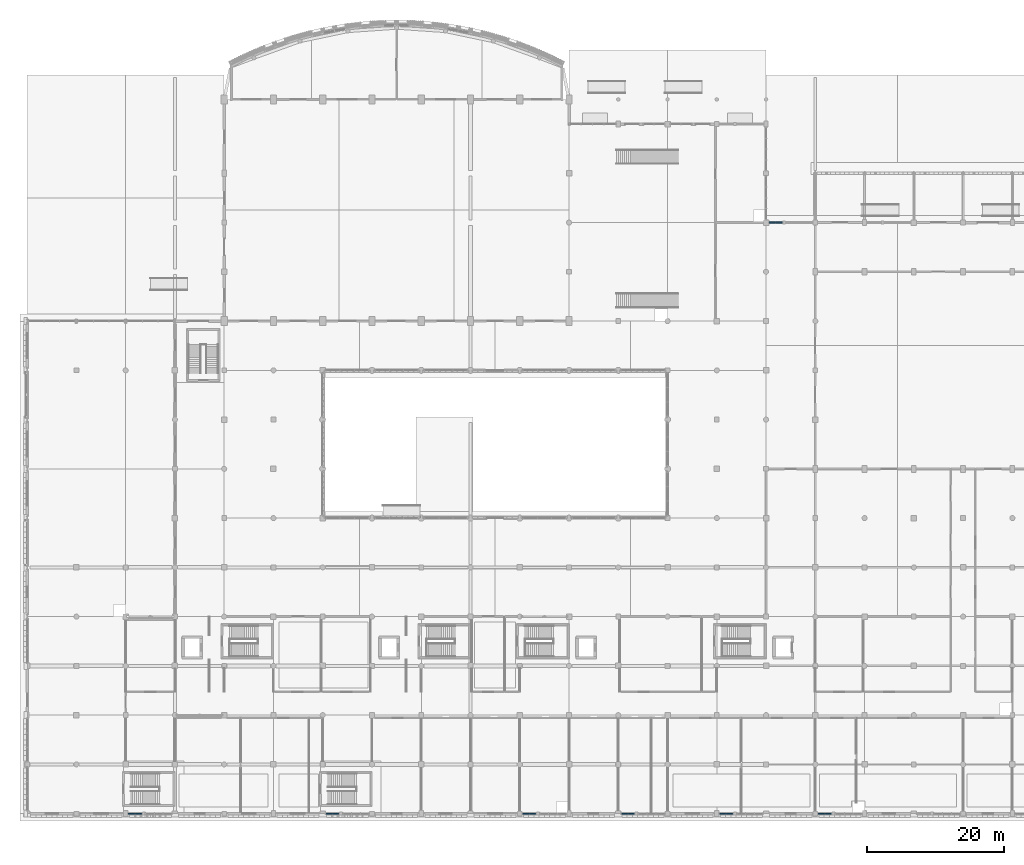
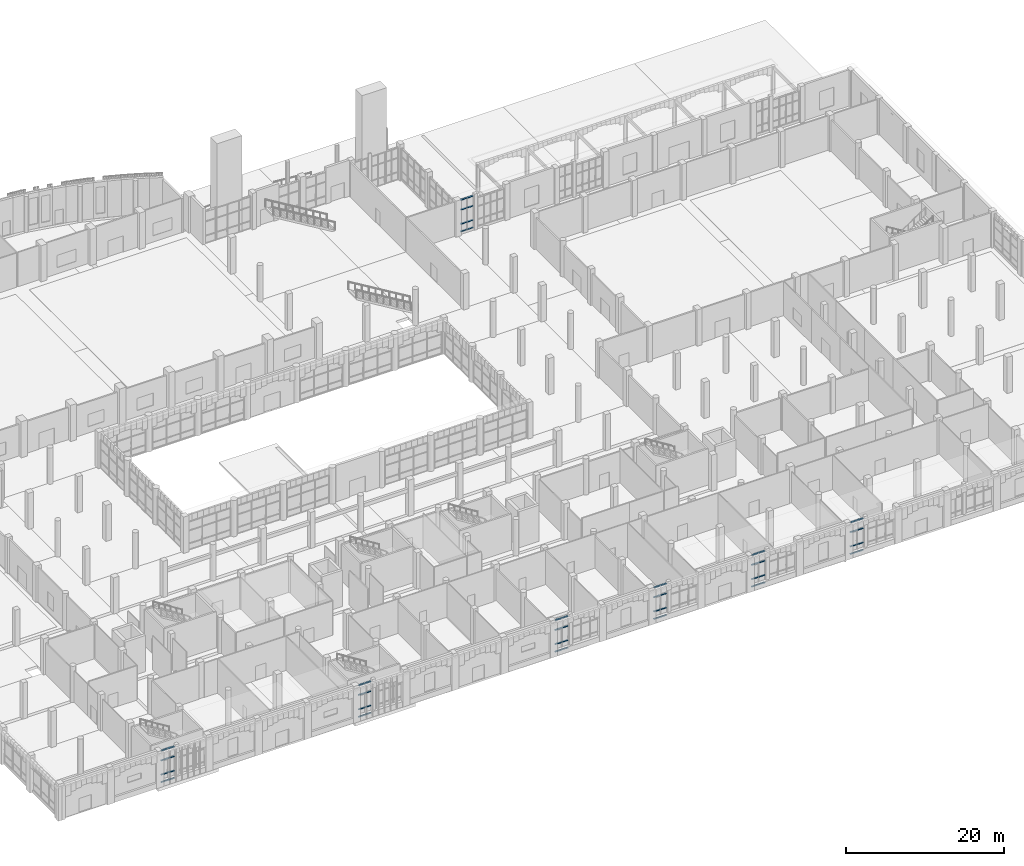
# One storey, part 34 of 85: 56 members, 7 elements without a shape of their own.
"""IFC4 building model written with IfcOpenShell, lengths in metres."""

import ifcopenshell
import ifcopenshell.guid

model = None  # the IFC model being written
_history = None  # IfcOwnerHistory: only IFC2X3 demands one
_inside = {}  # id of a spatial element -> (the spatial element, [elements in it])
_under = {}  # id of a project, library or spatial element -> (it, [spatial elements below it])
_declared = {}  # id of a project -> (the project, [libraries it declares])
_typed = {}  # id of a type object -> (the type object, [elements of that type])
_made_of = {}  # id of a material, layer set ... -> (it, [elements and type objects made of it])


def new_model(schema):
    """Start an empty IFC model of exactly this schema.

    Asked for "IFC4X3", IfcOpenShell would pick the latest addendum, in which some entities
    have other attributes; the version numbers below select the first issue.
    IFC2X3 requires an IfcOwnerHistory on every rooted entity: one is made here for all.
    """
    global model, _history
    if schema == "IFC4X3":
        model = ifcopenshell.file(schema_version=(4, 3, 0, 0))
    else:
        model = ifcopenshell.file(schema=schema)
    _inside.clear()
    _under.clear()
    _declared.clear()
    _typed.clear()
    _made_of.clear()
    _history = None
    if model.schema == "IFC2X3":
        org = make("IfcOrganization", Name="unknown")
        user = make(
            "IfcPersonAndOrganization",
            ThePerson=make("IfcPerson", FamilyName="unknown"),
            TheOrganization=org,
        )
        app = make(
            "IfcApplication",
            ApplicationDeveloper=org,
            Version="unknown",
            ApplicationFullName="unknown",
            ApplicationIdentifier="unknown",
        )
        _history = make(
            "IfcOwnerHistory",
            OwningUser=user,
            OwningApplication=app,
            ChangeAction="ADDED",
            CreationDate=0,
        )
    return model


def make(cls, **values):
    """One entity of the class cls with the attributes given. An attribute that is None is left unset."""
    return model.create_entity(
        cls, **{name: value for name, value in values.items() if value is not None}
    )


def rooted(cls, **values):
    """An entity with a GlobalId (a new one), such as an element, a storey or a relation."""
    return make(cls, GlobalId=ifcopenshell.guid.new(), OwnerHistory=_history, **values)


def si_unit(unit_type, name, prefix=None):
    """IfcSIUnit, for example si_unit("LENGTHUNIT", "METRE", prefix="MILLI")."""
    return make("IfcSIUnit", UnitType=unit_type, Prefix=prefix, Name=name)


def assignment(units):
    """IfcUnitAssignment: the units of a project."""
    return None if units is None else make("IfcUnitAssignment", Units=units)


def point(xyz):
    """IfcCartesianPoint."""
    return None if xyz is None else make("IfcCartesianPoint", Coordinates=xyz)


def direction(xyz):
    """IfcDirection."""
    return None if xyz is None else make("IfcDirection", DirectionRatios=xyz)


def frame(location, z_axis=None, x_axis=None):
    """IfcAxis2Placement3D, a coordinate frame: its origin and axes. An axis left out is left unset."""
    return make(
        "IfcAxis2Placement3D",
        Location=point(location),
        Axis=direction(z_axis),
        RefDirection=direction(x_axis),
    )


def frame_2d(location, x_axis=None):
    """IfcAxis2Placement2D, a coordinate frame in the plane: its origin and x axis."""
    return make(
        "IfcAxis2Placement2D", Location=point(location), RefDirection=direction(x_axis)
    )


def origin():
    """The frame at (0, 0, 0) with its axes left unset."""
    return frame((0.0, 0.0, 0.0))


def origin_2d():
    """The frame at (0, 0) in the plane with its x axis left unset."""
    return frame_2d((0.0, 0.0))


def place(relative_to, where):
    """IfcLocalPlacement: puts the frame where relative to a parent placement (None: the world)."""
    return make(
        "IfcLocalPlacement", PlacementRelTo=relative_to, RelativePlacement=where
    )


def context(
    kind, dimensions, precision=None, world=None, true_north=None, identifier=None
):
    """IfcGeometricRepresentationContext, for example the 3D "Model" context."""
    return make(
        "IfcGeometricRepresentationContext",
        ContextIdentifier=identifier,
        ContextType=kind,
        CoordinateSpaceDimension=dimensions,
        Precision=precision,
        WorldCoordinateSystem=world,
        TrueNorth=true_north,
    )


def subcontext(parent, identifier, kind, view, scale=None):
    """IfcGeometricRepresentationSubContext, for example "Body" below "Model"."""
    return make(
        "IfcGeometricRepresentationSubContext",
        ContextIdentifier=identifier,
        ContextType=kind,
        ParentContext=parent,
        TargetScale=scale,
        TargetView=view,
    )


def project(units=None, contexts=None):
    """IfcProject with its units and contexts."""
    return rooted(
        "IfcProject",
        Name="project",
        RepresentationContexts=contexts,
        UnitsInContext=assignment(units),
    )


def spatial(cls, under=None, at=None, **own):
    """A site, building, storey or space (cls), placed at a placement, below another one or the project."""
    s = rooted(cls, ObjectPlacement=at, **own)
    if under is not None:
        _under.setdefault(under.id(), (under, []))[1].append(s)
    return s


def profile(cls, at=None, kind="AREA", **sizes):
    """A parametric profile (cls). Its sizes go by their IFC names, for example OverallWidth=200.0."""
    return make(cls, ProfileType=kind, Position=at, **sizes)


def rectangle(**sizes):
    """IfcRectangleProfileDef."""
    return profile("IfcRectangleProfileDef", **sizes)


def extrude(swept, where, along, depth):
    """IfcExtrudedAreaSolid: the profile swept, set in the frame where, extruded along a direction by depth."""
    return make(
        "IfcExtrudedAreaSolid",
        SweptArea=swept,
        Position=where,
        ExtrudedDirection=direction(along),
        Depth=depth,
    )


def shape(context_of_items, identifier, shape_type, items):
    """IfcShapeRepresentation: the items that make up one representation, for example the "Body"."""
    return make(
        "IfcShapeRepresentation",
        ContextOfItems=context_of_items,
        RepresentationIdentifier=identifier,
        RepresentationType=shape_type,
        Items=items,
    )


def material(Name=None, Category=None):
    """IfcMaterial."""
    return make("IfcMaterial", Name=Name, Category=Category)


def material_profile(
    of_material, cross_section, Name=None, Category=None, Priority=None
):
    """IfcMaterialProfile: a cross section and its material."""
    return make(
        "IfcMaterialProfile",
        Name=Name,
        Material=of_material,
        Profile=cross_section,
        Priority=Priority,
        Category=Category,
    )


def profile_set(profiles, Name=None, composite=None):
    """IfcMaterialProfileSet."""
    return make(
        "IfcMaterialProfileSet",
        Name=Name,
        MaterialProfiles=profiles,
        CompositeProfile=composite,
    )


def made_of(thing, what):
    """Note that an element or type object is made of a material, layer set ...; save() writes the relation."""
    if what is not None:
        _made_of.setdefault(what.id(), (what, []))[1].append(thing)
    return thing


def type_object(cls, material=None, **own):
    """A type object (cls), such as IfcWallType, which elements share."""
    return made_of(rooted(cls, **own), material)


def element(
    cls,
    number,
    at=None,
    inside=None,
    cuts=None,
    type_object=None,
    material=None,
    context=None,
    identifier="Body",
    shape_type=None,
    held_by="IfcProductDefinitionShape",
    body=None,
    shapes=None,
    **own,
):
    """One element of the class cls, such as IfcWall. Its Tag is "e" and its number.

    at: its placement. inside: the storey or other place that contains it. cuts: it is an
    opening in that element (IfcRelVoidsElement). A single representation is given by context,
    identifier, shape_type and body (its items); several are given by shapes. held_by: the class
    of the entity that holds the representations. save() writes the other relations.
    """
    e = rooted(cls, Tag="e%d" % number, ObjectPlacement=at, **own)
    if body is not None:
        shapes = [shape(context, identifier, shape_type, body)]
    if shapes is not None:
        e.Representation = make(held_by, Representations=shapes)
    if inside is not None:
        _inside.setdefault(inside.id(), (inside, []))[1].append(e)
    if cuts is not None:
        rooted(
            "IfcRelVoidsElement", RelatingBuildingElement=cuts, RelatedOpeningElement=e
        )
    if type_object is not None:
        _typed.setdefault(type_object.id(), (type_object, []))[1].append(e)
    return made_of(e, material)


def aggregate(whole, parts):
    """IfcRelAggregates: a whole, such as a stair, and the parts it consists of."""
    return rooted("IfcRelAggregates", RelatingObject=whole, RelatedObjects=parts)


def save(model, path):
    """Write the relations noted so far, then the file.

    IfcRelAggregates (storeys below a building ...), IfcRelContainedInSpatialStructure (elements
    in a storey), IfcRelDefinesByType, IfcRelAssociatesMaterial and IfcRelDeclares: one each for
    every whole, place, type object, material and project.
    """
    for whole, parts in _under.values():
        aggregate(whole, parts)
    for where, things in _inside.values():
        rooted(
            "IfcRelContainedInSpatialStructure",
            RelatedElements=things,
            RelatingStructure=where,
        )
    for kind, things in _typed.values():
        rooted("IfcRelDefinesByType", RelatedObjects=things, RelatingType=kind)
    for what, things in _made_of.values():
        rooted("IfcRelAssociatesMaterial", RelatedObjects=things, RelatingMaterial=what)
    for by, libraries in _declared.values():
        rooted("IfcRelDeclares", RelatingContext=by, RelatedDefinitions=libraries)
    model.write(path)


model = new_model("IFC4")

# Units and contexts
model_context = context("Model", 3, precision=1e-05, world=origin(), true_north=direction((0.0, 1.0)))
body_context = subcontext(model_context, "Body", "Model", "MODEL_VIEW")
ifc_project = project(units=[si_unit("LENGTHUNIT", "METRE"), si_unit("AREAUNIT", "SQUARE_METRE"), si_unit("VOLUMEUNIT", "CUBIC_METRE"), si_unit("PLANEANGLEUNIT", "RADIAN"), si_unit("MASSUNIT", "GRAM", prefix="KILO")], contexts=[model_context])

# Site, building, storey
site_placement = place(None, origin())
site = spatial("IfcSite", under=ifc_project, at=site_placement, CompositionType="ELEMENT")
building_placement = place(site_placement, origin())
building = spatial("IfcBuilding", under=site, at=building_placement, Name="Sardonyx Promenade Sports Hall", CompositionType="ELEMENT")
storey_placement = place(building_placement, origin())
storey = spatial("IfcBuildingStorey", under=building, at=storey_placement, Name="L00", CompositionType="ELEMENT", Elevation=0.0)

# Curtain wall, members
ifc_material_1 = material(Name="Aluminium 6063-T6", Category="aluminium")
curtain_wall_type = type_object("IfcCurtainWallType", Name="CW_Foyer_Pilaster_L00", PredefinedType="USERDEFINED", material=ifc_material_1)
curtain_wall_1_placement = place(storey_placement, origin())
curtain_wall_1 = element("IfcCurtainWall", 1, at=curtain_wall_1_placement, inside=storey, type_object=curtain_wall_type, Name="Curtain wall CW20 cw:L00:006", ObjectType="CURTAIN WALL", PredefinedType="USERDEFINED")
ifc_material_2 = material(Name="Aluminium 6063-T6", Category="aluminium")
ifc_material_profile = material_profile(ifc_material_2, rectangle(XDim=0.074951171875, YDim=0.179931640625, at=origin_2d()))
ifc_profile_set = profile_set([ifc_material_profile], Name="Aluminium 6063-T6")
member_type = type_object("IfcMemberType", Name="CW_Tran_180", PredefinedType="USERDEFINED", material=ifc_profile_set)
member_1_placement = place(storey_placement, frame((117.530029296875, 0.0, 0.387451171875), z_axis=(-1.0, 0.0, 0.0), x_axis=(0.0, 0.0, 1.0)))
member_1 = element("IfcMember", 2, at=member_1_placement, type_object=member_type, Name="Transom CT04 cw:L00:006 #1", ObjectType="TRANSOM", PredefinedType="USERDEFINED", context=body_context, shape_type="SweptSolid", body=[
    extrude(rectangle(XDim=0.074951171875, YDim=0.179931640625, at=origin_2d()), origin(), (0.0, 0.0, 1.0), 0.905029296875),
])
member_2_placement = place(storey_placement, frame((117.530029296875, 0.0, 1.550048828125), z_axis=(-1.0, 0.0, 0.0), x_axis=(0.0, 0.0, 1.0)))
member_2 = element("IfcMember", 3, at=member_2_placement, type_object=member_type, Name="Transom CT04 cw:L00:006 #2", ObjectType="TRANSOM", PredefinedType="USERDEFINED", context=body_context, shape_type="SweptSolid", body=[
    extrude(rectangle(XDim=0.074951171875, YDim=0.179931640625, at=origin_2d()), origin(), (0.0, 0.0, 1.0), 0.905029296875),
])
member_3_placement = place(storey_placement, frame((117.530029296875, 0.0, 3.75), z_axis=(-1.0, 0.0, 0.0), x_axis=(0.0, 0.0, 1.0)))
member_3 = element("IfcMember", 4, at=member_3_placement, type_object=member_type, Name="Transom CT04 cw:L00:006 #3", ObjectType="TRANSOM", PredefinedType="USERDEFINED", context=body_context, shape_type="SweptSolid", body=[
    extrude(rectangle(XDim=0.074951171875, YDim=0.179931640625, at=origin_2d()), origin(), (0.0, 0.0, 1.0), 0.905029296875),
])
member_4_placement = place(storey_placement, frame((117.530029296875, 0.0, 5.262451171875), z_axis=(-1.0, 0.0, 0.0), x_axis=(0.0, 0.0, 1.0)))
member_4 = element("IfcMember", 5, at=member_4_placement, type_object=member_type, Name="Transom CT04 cw:L00:006 #4", ObjectType="TRANSOM", PredefinedType="USERDEFINED", context=body_context, shape_type="SweptSolid", body=[
    extrude(rectangle(XDim=0.074951171875, YDim=0.179931640625, at=origin_2d()), origin(), (0.0, 0.0, 1.0), 0.905029296875),
])
member_5_placement = place(storey_placement, frame((116.550048828125, 0.0, 0.387451171875), z_axis=(-1.0, 0.0, 0.0), x_axis=(0.0, 0.0, 1.0)))
member_5 = element("IfcMember", 6, at=member_5_placement, type_object=member_type, Name="Transom CT04 cw:L00:006 #5", ObjectType="TRANSOM", PredefinedType="USERDEFINED", context=body_context, shape_type="SweptSolid", body=[
    extrude(rectangle(XDim=0.074951171875, YDim=0.179931640625, at=origin_2d()), origin(), (0.0, 0.0, 1.0), 0.905029296875),
])
member_6_placement = place(storey_placement, frame((116.550048828125, 0.0, 1.550048828125), z_axis=(-1.0, 0.0, 0.0), x_axis=(0.0, 0.0, 1.0)))
member_6 = element("IfcMember", 7, at=member_6_placement, type_object=member_type, Name="Transom CT04 cw:L00:006 #6", ObjectType="TRANSOM", PredefinedType="USERDEFINED", context=body_context, shape_type="SweptSolid", body=[
    extrude(rectangle(XDim=0.074951171875, YDim=0.179931640625, at=origin_2d()), origin(), (0.0, 0.0, 1.0), 0.905029296875),
])
member_7_placement = place(storey_placement, frame((116.550048828125, 0.0, 3.75), z_axis=(-1.0, 0.0, 0.0), x_axis=(0.0, 0.0, 1.0)))
member_7 = element("IfcMember", 8, at=member_7_placement, type_object=member_type, Name="Transom CT04 cw:L00:006 #7", ObjectType="TRANSOM", PredefinedType="USERDEFINED", context=body_context, shape_type="SweptSolid", body=[
    extrude(rectangle(XDim=0.074951171875, YDim=0.179931640625, at=origin_2d()), origin(), (0.0, 0.0, 1.0), 0.905029296875),
])
member_8_placement = place(storey_placement, frame((116.550048828125, 0.0, 5.262451171875), z_axis=(-1.0, 0.0, 0.0), x_axis=(0.0, 0.0, 1.0)))
member_8 = element("IfcMember", 9, at=member_8_placement, type_object=member_type, Name="Transom CT04 cw:L00:006 #8", ObjectType="TRANSOM", PredefinedType="USERDEFINED", context=body_context, shape_type="SweptSolid", body=[
    extrude(rectangle(XDim=0.074951171875, YDim=0.179931640625, at=origin_2d()), origin(), (0.0, 0.0, 1.0), 0.905029296875),
])
aggregate(curtain_wall_1, [member_1, member_2, member_3, member_4, member_5, member_6, member_7, member_8])

curtain_wall_2_placement = place(storey_placement, origin())
curtain_wall_2 = element("IfcCurtainWall", 10, at=curtain_wall_2_placement, inside=storey, type_object=curtain_wall_type, Name="Curtain wall CW20 cw:L00:008", ObjectType="CURTAIN WALL", PredefinedType="USERDEFINED")
member_9_placement = place(storey_placement, frame((103.1298828125, 0.0, 0.387451171875), z_axis=(-1.0, 0.0, 0.0), x_axis=(0.0, 0.0, 1.0)))
member_9 = element("IfcMember", 11, at=member_9_placement, type_object=member_type, Name="Transom CT04 cw:L00:008 #1", ObjectType="TRANSOM", PredefinedType="USERDEFINED", context=body_context, shape_type="SweptSolid", body=[
    extrude(rectangle(XDim=0.074951171875, YDim=0.179931640625, at=origin_2d()), origin(), (0.0, 0.0, 1.0), 0.929931640625),
])
member_10_placement = place(storey_placement, frame((103.1298828125, 0.0, 1.550048828125), z_axis=(-1.0, 0.0, 0.0), x_axis=(0.0, 0.0, 1.0)))
member_10 = element("IfcMember", 12, at=member_10_placement, type_object=member_type, Name="Transom CT04 cw:L00:008 #2", ObjectType="TRANSOM", PredefinedType="USERDEFINED", context=body_context, shape_type="SweptSolid", body=[
    extrude(rectangle(XDim=0.074951171875, YDim=0.179931640625, at=origin_2d()), origin(), (0.0, 0.0, 1.0), 0.929931640625),
])
member_11_placement = place(storey_placement, frame((103.1298828125, 0.0, 3.75), z_axis=(-1.0, 0.0, 0.0), x_axis=(0.0, 0.0, 1.0)))
member_11 = element("IfcMember", 13, at=member_11_placement, type_object=member_type, Name="Transom CT04 cw:L00:008 #3", ObjectType="TRANSOM", PredefinedType="USERDEFINED", context=body_context, shape_type="SweptSolid", body=[
    extrude(rectangle(XDim=0.074951171875, YDim=0.179931640625, at=origin_2d()), origin(), (0.0, 0.0, 1.0), 0.929931640625),
])
member_12_placement = place(storey_placement, frame((103.1298828125, 0.0, 5.262451171875), z_axis=(-1.0, 0.0, 0.0), x_axis=(0.0, 0.0, 1.0)))
member_12 = element("IfcMember", 14, at=member_12_placement, type_object=member_type, Name="Transom CT04 cw:L00:008 #4", ObjectType="TRANSOM", PredefinedType="USERDEFINED", context=body_context, shape_type="SweptSolid", body=[
    extrude(rectangle(XDim=0.074951171875, YDim=0.179931640625, at=origin_2d()), origin(), (0.0, 0.0, 1.0), 0.929931640625),
])
member_13_placement = place(storey_placement, frame((102.125, 0.0, 0.387451171875), z_axis=(-1.0, 0.0, 0.0), x_axis=(0.0, 0.0, 1.0)))
member_13 = element("IfcMember", 15, at=member_13_placement, type_object=member_type, Name="Transom CT04 cw:L00:008 #5", ObjectType="TRANSOM", PredefinedType="USERDEFINED", context=body_context, shape_type="SweptSolid", body=[
    extrude(rectangle(XDim=0.074951171875, YDim=0.179931640625, at=origin_2d()), origin(), (0.0, 0.0, 1.0), 0.929931640625),
])
member_14_placement = place(storey_placement, frame((102.125, 0.0, 1.550048828125), z_axis=(-1.0, 0.0, 0.0), x_axis=(0.0, 0.0, 1.0)))
member_14 = element("IfcMember", 16, at=member_14_placement, type_object=member_type, Name="Transom CT04 cw:L00:008 #6", ObjectType="TRANSOM", PredefinedType="USERDEFINED", context=body_context, shape_type="SweptSolid", body=[
    extrude(rectangle(XDim=0.074951171875, YDim=0.179931640625, at=origin_2d()), origin(), (0.0, 0.0, 1.0), 0.929931640625),
])
member_15_placement = place(storey_placement, frame((102.125, 0.0, 3.75), z_axis=(-1.0, 0.0, 0.0), x_axis=(0.0, 0.0, 1.0)))
member_15 = element("IfcMember", 17, at=member_15_placement, type_object=member_type, Name="Transom CT04 cw:L00:008 #7", ObjectType="TRANSOM", PredefinedType="USERDEFINED", context=body_context, shape_type="SweptSolid", body=[
    extrude(rectangle(XDim=0.074951171875, YDim=0.179931640625, at=origin_2d()), origin(), (0.0, 0.0, 1.0), 0.929931640625),
])
member_16_placement = place(storey_placement, frame((102.125, 0.0, 5.262451171875), z_axis=(-1.0, 0.0, 0.0), x_axis=(0.0, 0.0, 1.0)))
member_16 = element("IfcMember", 18, at=member_16_placement, type_object=member_type, Name="Transom CT04 cw:L00:008 #8", ObjectType="TRANSOM", PredefinedType="USERDEFINED", context=body_context, shape_type="SweptSolid", body=[
    extrude(rectangle(XDim=0.074951171875, YDim=0.179931640625, at=origin_2d()), origin(), (0.0, 0.0, 1.0), 0.929931640625),
])
aggregate(curtain_wall_2, [member_9, member_10, member_11, member_12, member_13, member_14, member_15, member_16])

curtain_wall_3_placement = place(storey_placement, origin())
curtain_wall_3 = element("IfcCurtainWall", 19, at=curtain_wall_3_placement, inside=storey, type_object=curtain_wall_type, Name="Curtain wall CW20 cw:L00:010", ObjectType="CURTAIN WALL", PredefinedType="USERDEFINED")
member_17_placement = place(storey_placement, frame((88.72998046875, 0.0, 0.387451171875), z_axis=(-1.0, 0.0, 0.0), x_axis=(0.0, 0.0, 1.0)))
member_17 = element("IfcMember", 20, at=member_17_placement, type_object=member_type, Name="Transom CT04 cw:L00:010 #1", ObjectType="TRANSOM", PredefinedType="USERDEFINED", context=body_context, shape_type="SweptSolid", body=[
    extrude(rectangle(XDim=0.074951171875, YDim=0.179931640625, at=origin_2d()), origin(), (0.0, 0.0, 1.0), 0.8798828125),
])
member_18_placement = place(storey_placement, frame((88.72998046875, 0.0, 1.550048828125), z_axis=(-1.0, 0.0, 0.0), x_axis=(0.0, 0.0, 1.0)))
member_18 = element("IfcMember", 21, at=member_18_placement, type_object=member_type, Name="Transom CT04 cw:L00:010 #2", ObjectType="TRANSOM", PredefinedType="USERDEFINED", context=body_context, shape_type="SweptSolid", body=[
    extrude(rectangle(XDim=0.074951171875, YDim=0.179931640625, at=origin_2d()), origin(), (0.0, 0.0, 1.0), 0.8798828125),
])
member_19_placement = place(storey_placement, frame((88.72998046875, 0.0, 3.75), z_axis=(-1.0, 0.0, 0.0), x_axis=(0.0, 0.0, 1.0)))
member_19 = element("IfcMember", 22, at=member_19_placement, type_object=member_type, Name="Transom CT04 cw:L00:010 #3", ObjectType="TRANSOM", PredefinedType="USERDEFINED", context=body_context, shape_type="SweptSolid", body=[
    extrude(rectangle(XDim=0.074951171875, YDim=0.179931640625, at=origin_2d()), origin(), (0.0, 0.0, 1.0), 0.8798828125),
])
member_20_placement = place(storey_placement, frame((88.72998046875, 0.0, 5.262451171875), z_axis=(-1.0, 0.0, 0.0), x_axis=(0.0, 0.0, 1.0)))
member_20 = element("IfcMember", 23, at=member_20_placement, type_object=member_type, Name="Transom CT04 cw:L00:010 #4", ObjectType="TRANSOM", PredefinedType="USERDEFINED", context=body_context, shape_type="SweptSolid", body=[
    extrude(rectangle(XDim=0.074951171875, YDim=0.179931640625, at=origin_2d()), origin(), (0.0, 0.0, 1.0), 0.8798828125),
])
member_21_placement = place(storey_placement, frame((87.77490234375, 0.0, 0.387451171875), z_axis=(-1.0, 0.0, 0.0), x_axis=(0.0, 0.0, 1.0)))
member_21 = element("IfcMember", 24, at=member_21_placement, type_object=member_type, Name="Transom CT04 cw:L00:010 #5", ObjectType="TRANSOM", PredefinedType="USERDEFINED", context=body_context, shape_type="SweptSolid", body=[
    extrude(rectangle(XDim=0.074951171875, YDim=0.179931640625, at=origin_2d()), origin(), (0.0, 0.0, 1.0), 0.8798828125),
])
member_22_placement = place(storey_placement, frame((87.77490234375, 0.0, 1.550048828125), z_axis=(-1.0, 0.0, 0.0), x_axis=(0.0, 0.0, 1.0)))
member_22 = element("IfcMember", 25, at=member_22_placement, type_object=member_type, Name="Transom CT04 cw:L00:010 #6", ObjectType="TRANSOM", PredefinedType="USERDEFINED", context=body_context, shape_type="SweptSolid", body=[
    extrude(rectangle(XDim=0.074951171875, YDim=0.179931640625, at=origin_2d()), origin(), (0.0, 0.0, 1.0), 0.8798828125),
])
member_23_placement = place(storey_placement, frame((87.77490234375, 0.0, 3.75), z_axis=(-1.0, 0.0, 0.0), x_axis=(0.0, 0.0, 1.0)))
member_23 = element("IfcMember", 26, at=member_23_placement, type_object=member_type, Name="Transom CT04 cw:L00:010 #7", ObjectType="TRANSOM", PredefinedType="USERDEFINED", context=body_context, shape_type="SweptSolid", body=[
    extrude(rectangle(XDim=0.074951171875, YDim=0.179931640625, at=origin_2d()), origin(), (0.0, 0.0, 1.0), 0.8798828125),
])
member_24_placement = place(storey_placement, frame((87.77490234375, 0.0, 5.262451171875), z_axis=(-1.0, 0.0, 0.0), x_axis=(0.0, 0.0, 1.0)))
member_24 = element("IfcMember", 27, at=member_24_placement, type_object=member_type, Name="Transom CT04 cw:L00:010 #8", ObjectType="TRANSOM", PredefinedType="USERDEFINED", context=body_context, shape_type="SweptSolid", body=[
    extrude(rectangle(XDim=0.074951171875, YDim=0.179931640625, at=origin_2d()), origin(), (0.0, 0.0, 1.0), 0.8798828125),
])
aggregate(curtain_wall_3, [member_17, member_18, member_19, member_20, member_21, member_22, member_23, member_24])

curtain_wall_4_placement = place(storey_placement, origin())
curtain_wall_4 = element("IfcCurtainWall", 28, at=curtain_wall_4_placement, inside=storey, type_object=curtain_wall_type, Name="Curtain wall CW20 cw:L00:012", ObjectType="CURTAIN WALL", PredefinedType="USERDEFINED")
member_25_placement = place(storey_placement, frame((74.330078125, 0.0, 0.387451171875), z_axis=(-1.0, 0.0, 0.0), x_axis=(0.0, 0.0, 1.0)))
member_25 = element("IfcMember", 29, at=member_25_placement, type_object=member_type, Name="Transom CT04 cw:L00:012 #1", ObjectType="TRANSOM", PredefinedType="USERDEFINED", context=body_context, shape_type="SweptSolid", body=[
    extrude(rectangle(XDim=0.074951171875, YDim=0.179931640625, at=origin_2d()), origin(), (0.0, 0.0, 1.0), 0.905029296875),
])
member_26_placement = place(storey_placement, frame((74.330078125, 0.0, 1.550048828125), z_axis=(-1.0, 0.0, 0.0), x_axis=(0.0, 0.0, 1.0)))
member_26 = element("IfcMember", 30, at=member_26_placement, type_object=member_type, Name="Transom CT04 cw:L00:012 #2", ObjectType="TRANSOM", PredefinedType="USERDEFINED", context=body_context, shape_type="SweptSolid", body=[
    extrude(rectangle(XDim=0.074951171875, YDim=0.179931640625, at=origin_2d()), origin(), (0.0, 0.0, 1.0), 0.905029296875),
])
member_27_placement = place(storey_placement, frame((74.330078125, 0.0, 3.75), z_axis=(-1.0, 0.0, 0.0), x_axis=(0.0, 0.0, 1.0)))
member_27 = element("IfcMember", 31, at=member_27_placement, type_object=member_type, Name="Transom CT04 cw:L00:012 #3", ObjectType="TRANSOM", PredefinedType="USERDEFINED", context=body_context, shape_type="SweptSolid", body=[
    extrude(rectangle(XDim=0.074951171875, YDim=0.179931640625, at=origin_2d()), origin(), (0.0, 0.0, 1.0), 0.905029296875),
])
member_28_placement = place(storey_placement, frame((74.330078125, 0.0, 5.262451171875), z_axis=(-1.0, 0.0, 0.0), x_axis=(0.0, 0.0, 1.0)))
member_28 = element("IfcMember", 32, at=member_28_placement, type_object=member_type, Name="Transom CT04 cw:L00:012 #4", ObjectType="TRANSOM", PredefinedType="USERDEFINED", context=body_context, shape_type="SweptSolid", body=[
    extrude(rectangle(XDim=0.074951171875, YDim=0.179931640625, at=origin_2d()), origin(), (0.0, 0.0, 1.0), 0.905029296875),
])
member_29_placement = place(storey_placement, frame((73.35009765625, 0.0, 0.387451171875), z_axis=(-1.0, 0.0, 0.0), x_axis=(0.0, 0.0, 1.0)))
member_29 = element("IfcMember", 33, at=member_29_placement, type_object=member_type, Name="Transom CT04 cw:L00:012 #5", ObjectType="TRANSOM", PredefinedType="USERDEFINED", context=body_context, shape_type="SweptSolid", body=[
    extrude(rectangle(XDim=0.074951171875, YDim=0.179931640625, at=origin_2d()), origin(), (0.0, 0.0, 1.0), 0.905029296875),
])
member_30_placement = place(storey_placement, frame((73.35009765625, 0.0, 1.550048828125), z_axis=(-1.0, 0.0, 0.0), x_axis=(0.0, 0.0, 1.0)))
member_30 = element("IfcMember", 34, at=member_30_placement, type_object=member_type, Name="Transom CT04 cw:L00:012 #6", ObjectType="TRANSOM", PredefinedType="USERDEFINED", context=body_context, shape_type="SweptSolid", body=[
    extrude(rectangle(XDim=0.074951171875, YDim=0.179931640625, at=origin_2d()), origin(), (0.0, 0.0, 1.0), 0.905029296875),
])
member_31_placement = place(storey_placement, frame((73.35009765625, 0.0, 3.75), z_axis=(-1.0, 0.0, 0.0), x_axis=(0.0, 0.0, 1.0)))
member_31 = element("IfcMember", 35, at=member_31_placement, type_object=member_type, Name="Transom CT04 cw:L00:012 #7", ObjectType="TRANSOM", PredefinedType="USERDEFINED", context=body_context, shape_type="SweptSolid", body=[
    extrude(rectangle(XDim=0.074951171875, YDim=0.179931640625, at=origin_2d()), origin(), (0.0, 0.0, 1.0), 0.905029296875),
])
member_32_placement = place(storey_placement, frame((73.35009765625, 0.0, 5.262451171875), z_axis=(-1.0, 0.0, 0.0), x_axis=(0.0, 0.0, 1.0)))
member_32 = element("IfcMember", 36, at=member_32_placement, type_object=member_type, Name="Transom CT04 cw:L00:012 #8", ObjectType="TRANSOM", PredefinedType="USERDEFINED", context=body_context, shape_type="SweptSolid", body=[
    extrude(rectangle(XDim=0.074951171875, YDim=0.179931640625, at=origin_2d()), origin(), (0.0, 0.0, 1.0), 0.905029296875),
])
aggregate(curtain_wall_4, [member_25, member_26, member_27, member_28, member_29, member_30, member_31, member_32])

curtain_wall_5_placement = place(storey_placement, origin())
curtain_wall_5 = element("IfcCurtainWall", 37, at=curtain_wall_5_placement, inside=storey, type_object=curtain_wall_type, Name="Curtain wall CW20 cw:L00:014", ObjectType="CURTAIN WALL", PredefinedType="USERDEFINED")
member_33_placement = place(storey_placement, frame((45.530029296875, 0.0, 0.387451171875), z_axis=(-1.0, 0.0, 0.0), x_axis=(0.0, 0.0, 1.0)))
member_33 = element("IfcMember", 38, at=member_33_placement, type_object=member_type, Name="Transom CT04 cw:L00:014 #1", ObjectType="TRANSOM", PredefinedType="USERDEFINED", context=body_context, shape_type="SweptSolid", body=[
    extrude(rectangle(XDim=0.074951171875, YDim=0.179931640625, at=origin_2d()), origin(), (0.0, 0.0, 1.0), 0.880126953125),
])
member_34_placement = place(storey_placement, frame((45.530029296875, 0.0, 1.550048828125), z_axis=(-1.0, 0.0, 0.0), x_axis=(0.0, 0.0, 1.0)))
member_34 = element("IfcMember", 39, at=member_34_placement, type_object=member_type, Name="Transom CT04 cw:L00:014 #2", ObjectType="TRANSOM", PredefinedType="USERDEFINED", context=body_context, shape_type="SweptSolid", body=[
    extrude(rectangle(XDim=0.074951171875, YDim=0.179931640625, at=origin_2d()), origin(), (0.0, 0.0, 1.0), 0.880126953125),
])
member_35_placement = place(storey_placement, frame((45.530029296875, 0.0, 3.75), z_axis=(-1.0, 0.0, 0.0), x_axis=(0.0, 0.0, 1.0)))
member_35 = element("IfcMember", 40, at=member_35_placement, type_object=member_type, Name="Transom CT04 cw:L00:014 #3", ObjectType="TRANSOM", PredefinedType="USERDEFINED", context=body_context, shape_type="SweptSolid", body=[
    extrude(rectangle(XDim=0.074951171875, YDim=0.179931640625, at=origin_2d()), origin(), (0.0, 0.0, 1.0), 0.880126953125),
])
member_36_placement = place(storey_placement, frame((45.530029296875, 0.0, 5.262451171875), z_axis=(-1.0, 0.0, 0.0), x_axis=(0.0, 0.0, 1.0)))
member_36 = element("IfcMember", 41, at=member_36_placement, type_object=member_type, Name="Transom CT04 cw:L00:014 #4", ObjectType="TRANSOM", PredefinedType="USERDEFINED", context=body_context, shape_type="SweptSolid", body=[
    extrude(rectangle(XDim=0.074951171875, YDim=0.179931640625, at=origin_2d()), origin(), (0.0, 0.0, 1.0), 0.880126953125),
])
member_37_placement = place(storey_placement, frame((44.574951171875, 0.0, 0.387451171875), z_axis=(-1.0, 0.0, 0.0), x_axis=(0.0, 0.0, 1.0)))
member_37 = element("IfcMember", 42, at=member_37_placement, type_object=member_type, Name="Transom CT04 cw:L00:014 #5", ObjectType="TRANSOM", PredefinedType="USERDEFINED", context=body_context, shape_type="SweptSolid", body=[
    extrude(rectangle(XDim=0.074951171875, YDim=0.179931640625, at=origin_2d()), origin(), (0.0, 0.0, 1.0), 0.8798828125),
])
member_38_placement = place(storey_placement, frame((44.574951171875, 0.0, 1.550048828125), z_axis=(-1.0, 0.0, 0.0), x_axis=(0.0, 0.0, 1.0)))
member_38 = element("IfcMember", 43, at=member_38_placement, type_object=member_type, Name="Transom CT04 cw:L00:014 #6", ObjectType="TRANSOM", PredefinedType="USERDEFINED", context=body_context, shape_type="SweptSolid", body=[
    extrude(rectangle(XDim=0.074951171875, YDim=0.179931640625, at=origin_2d()), origin(), (0.0, 0.0, 1.0), 0.8798828125),
])
member_39_placement = place(storey_placement, frame((44.574951171875, 0.0, 3.75), z_axis=(-1.0, 0.0, 0.0), x_axis=(0.0, 0.0, 1.0)))
member_39 = element("IfcMember", 44, at=member_39_placement, type_object=member_type, Name="Transom CT04 cw:L00:014 #7", ObjectType="TRANSOM", PredefinedType="USERDEFINED", context=body_context, shape_type="SweptSolid", body=[
    extrude(rectangle(XDim=0.074951171875, YDim=0.179931640625, at=origin_2d()), origin(), (0.0, 0.0, 1.0), 0.8798828125),
])
member_40_placement = place(storey_placement, frame((44.574951171875, 0.0, 5.262451171875), z_axis=(-1.0, 0.0, 0.0), x_axis=(0.0, 0.0, 1.0)))
member_40 = element("IfcMember", 45, at=member_40_placement, type_object=member_type, Name="Transom CT04 cw:L00:014 #8", ObjectType="TRANSOM", PredefinedType="USERDEFINED", context=body_context, shape_type="SweptSolid", body=[
    extrude(rectangle(XDim=0.074951171875, YDim=0.179931640625, at=origin_2d()), origin(), (0.0, 0.0, 1.0), 0.8798828125),
])
aggregate(curtain_wall_5, [member_33, member_34, member_35, member_36, member_37, member_38, member_39, member_40])

curtain_wall_6_placement = place(storey_placement, origin())
curtain_wall_6 = element("IfcCurtainWall", 46, at=curtain_wall_6_placement, inside=storey, type_object=curtain_wall_type, Name="Curtain wall CW20 cw:L00:016", ObjectType="CURTAIN WALL", PredefinedType="USERDEFINED")
member_41_placement = place(storey_placement, frame((16.72998046875, 0.0, 0.387451171875), z_axis=(-1.0, 0.0, 0.0), x_axis=(0.0, 0.0, 1.0)))
member_41 = element("IfcMember", 47, at=member_41_placement, type_object=member_type, Name="Transom CT04 cw:L00:016 #1", ObjectType="TRANSOM", PredefinedType="USERDEFINED", context=body_context, shape_type="SweptSolid", body=[
    extrude(rectangle(XDim=0.074951171875, YDim=0.179931640625, at=origin_2d()), origin(), (0.0, 0.0, 1.0), 0.929931640625),
])
member_42_placement = place(storey_placement, frame((16.72998046875, 0.0, 1.550048828125), z_axis=(-1.0, 0.0, 0.0), x_axis=(0.0, 0.0, 1.0)))
member_42 = element("IfcMember", 48, at=member_42_placement, type_object=member_type, Name="Transom CT04 cw:L00:016 #2", ObjectType="TRANSOM", PredefinedType="USERDEFINED", context=body_context, shape_type="SweptSolid", body=[
    extrude(rectangle(XDim=0.074951171875, YDim=0.179931640625, at=origin_2d()), origin(), (0.0, 0.0, 1.0), 0.929931640625),
])
member_43_placement = place(storey_placement, frame((16.72998046875, 0.0, 3.75), z_axis=(-1.0, 0.0, 0.0), x_axis=(0.0, 0.0, 1.0)))
member_43 = element("IfcMember", 49, at=member_43_placement, type_object=member_type, Name="Transom CT04 cw:L00:016 #3", ObjectType="TRANSOM", PredefinedType="USERDEFINED", context=body_context, shape_type="SweptSolid", body=[
    extrude(rectangle(XDim=0.074951171875, YDim=0.179931640625, at=origin_2d()), origin(), (0.0, 0.0, 1.0), 0.929931640625),
])
member_44_placement = place(storey_placement, frame((16.72998046875, 0.0, 5.262451171875), z_axis=(-1.0, 0.0, 0.0), x_axis=(0.0, 0.0, 1.0)))
member_44 = element("IfcMember", 50, at=member_44_placement, type_object=member_type, Name="Transom CT04 cw:L00:016 #4", ObjectType="TRANSOM", PredefinedType="USERDEFINED", context=body_context, shape_type="SweptSolid", body=[
    extrude(rectangle(XDim=0.074951171875, YDim=0.179931640625, at=origin_2d()), origin(), (0.0, 0.0, 1.0), 0.929931640625),
])
member_45_placement = place(storey_placement, frame((15.72509765625, 0.0, 0.387451171875), z_axis=(-1.0, 0.0, 0.0), x_axis=(0.0, 0.0, 1.0)))
member_45 = element("IfcMember", 51, at=member_45_placement, type_object=member_type, Name="Transom CT04 cw:L00:016 #5", ObjectType="TRANSOM", PredefinedType="USERDEFINED", context=body_context, shape_type="SweptSolid", body=[
    extrude(rectangle(XDim=0.074951171875, YDim=0.179931640625, at=origin_2d()), origin(), (0.0, 0.0, 1.0), 0.93017578125),
])
member_46_placement = place(storey_placement, frame((15.72509765625, 0.0, 1.550048828125), z_axis=(-1.0, 0.0, 0.0), x_axis=(0.0, 0.0, 1.0)))
member_46 = element("IfcMember", 52, at=member_46_placement, type_object=member_type, Name="Transom CT04 cw:L00:016 #6", ObjectType="TRANSOM", PredefinedType="USERDEFINED", context=body_context, shape_type="SweptSolid", body=[
    extrude(rectangle(XDim=0.074951171875, YDim=0.179931640625, at=origin_2d()), origin(), (0.0, 0.0, 1.0), 0.93017578125),
])
member_47_placement = place(storey_placement, frame((15.72509765625, 0.0, 3.75), z_axis=(-1.0, 0.0, 0.0), x_axis=(0.0, 0.0, 1.0)))
member_47 = element("IfcMember", 53, at=member_47_placement, type_object=member_type, Name="Transom CT04 cw:L00:016 #7", ObjectType="TRANSOM", PredefinedType="USERDEFINED", context=body_context, shape_type="SweptSolid", body=[
    extrude(rectangle(XDim=0.074951171875, YDim=0.179931640625, at=origin_2d()), origin(), (0.0, 0.0, 1.0), 0.93017578125),
])
member_48_placement = place(storey_placement, frame((15.72509765625, 0.0, 5.262451171875), z_axis=(-1.0, 0.0, 0.0), x_axis=(0.0, 0.0, 1.0)))
member_48 = element("IfcMember", 54, at=member_48_placement, type_object=member_type, Name="Transom CT04 cw:L00:016 #8", ObjectType="TRANSOM", PredefinedType="USERDEFINED", context=body_context, shape_type="SweptSolid", body=[
    extrude(rectangle(XDim=0.074951171875, YDim=0.179931640625, at=origin_2d()), origin(), (0.0, 0.0, 1.0), 0.93017578125),
])
aggregate(curtain_wall_6, [member_41, member_42, member_43, member_44, member_45, member_46, member_47, member_48])

curtain_wall_7_placement = place(storey_placement, origin())
curtain_wall_7 = element("IfcCurtainWall", 55, at=curtain_wall_7_placement, inside=storey, type_object=curtain_wall_type, Name="Curtain wall CW20 cw:L00:097", ObjectType="CURTAIN WALL", PredefinedType="USERDEFINED")
member_49_placement = place(storey_placement, frame((108.4951171875, 86.39990234375, 0.387451171875), z_axis=(1.0, 0.0, 0.0), x_axis=(0.0, 0.0, 1.0)))
member_49 = element("IfcMember", 56, at=member_49_placement, type_object=member_type, Name="Transom CT04 cw:L00:097 #1", ObjectType="TRANSOM", PredefinedType="USERDEFINED", context=body_context, shape_type="SweptSolid", body=[
    extrude(rectangle(XDim=0.074951171875, YDim=0.179931640625, at=origin_2d()), origin(), (0.0, 0.0, 1.0), 0.8798828125),
])
member_50_placement = place(storey_placement, frame((108.4951171875, 86.39990234375, 1.550048828125), z_axis=(1.0, 0.0, 0.0), x_axis=(0.0, 0.0, 1.0)))
member_50 = element("IfcMember", 57, at=member_50_placement, type_object=member_type, Name="Transom CT04 cw:L00:097 #2", ObjectType="TRANSOM", PredefinedType="USERDEFINED", context=body_context, shape_type="SweptSolid", body=[
    extrude(rectangle(XDim=0.074951171875, YDim=0.179931640625, at=origin_2d()), origin(), (0.0, 0.0, 1.0), 0.8798828125),
])
member_51_placement = place(storey_placement, frame((108.4951171875, 86.39990234375, 3.75), z_axis=(1.0, 0.0, 0.0), x_axis=(0.0, 0.0, 1.0)))
member_51 = element("IfcMember", 58, at=member_51_placement, type_object=member_type, Name="Transom CT04 cw:L00:097 #3", ObjectType="TRANSOM", PredefinedType="USERDEFINED", context=body_context, shape_type="SweptSolid", body=[
    extrude(rectangle(XDim=0.074951171875, YDim=0.179931640625, at=origin_2d()), origin(), (0.0, 0.0, 1.0), 0.8798828125),
])
member_52_placement = place(storey_placement, frame((108.4951171875, 86.39990234375, 5.262451171875), z_axis=(1.0, 0.0, 0.0), x_axis=(0.0, 0.0, 1.0)))
member_52 = element("IfcMember", 59, at=member_52_placement, type_object=member_type, Name="Transom CT04 cw:L00:097 #4", ObjectType="TRANSOM", PredefinedType="USERDEFINED", context=body_context, shape_type="SweptSolid", body=[
    extrude(rectangle(XDim=0.074951171875, YDim=0.179931640625, at=origin_2d()), origin(), (0.0, 0.0, 1.0), 0.8798828125),
])
member_53_placement = place(storey_placement, frame((109.449951171875, 86.39990234375, 0.387451171875), z_axis=(1.0, 0.0, 0.0), x_axis=(0.0, 0.0, 1.0)))
member_53 = element("IfcMember", 60, at=member_53_placement, type_object=member_type, Name="Transom CT04 cw:L00:097 #5", ObjectType="TRANSOM", PredefinedType="USERDEFINED", context=body_context, shape_type="SweptSolid", body=[
    extrude(rectangle(XDim=0.074951171875, YDim=0.179931640625, at=origin_2d()), origin(), (0.0, 0.0, 1.0), 0.880126953125),
])
member_54_placement = place(storey_placement, frame((109.449951171875, 86.39990234375, 1.550048828125), z_axis=(1.0, 0.0, 0.0), x_axis=(0.0, 0.0, 1.0)))
member_54 = element("IfcMember", 61, at=member_54_placement, type_object=member_type, Name="Transom CT04 cw:L00:097 #6", ObjectType="TRANSOM", PredefinedType="USERDEFINED", context=body_context, shape_type="SweptSolid", body=[
    extrude(rectangle(XDim=0.074951171875, YDim=0.179931640625, at=origin_2d()), origin(), (0.0, 0.0, 1.0), 0.880126953125),
])
member_55_placement = place(storey_placement, frame((109.449951171875, 86.39990234375, 3.75), z_axis=(1.0, 0.0, 0.0), x_axis=(0.0, 0.0, 1.0)))
member_55 = element("IfcMember", 62, at=member_55_placement, type_object=member_type, Name="Transom CT04 cw:L00:097 #7", ObjectType="TRANSOM", PredefinedType="USERDEFINED", context=body_context, shape_type="SweptSolid", body=[
    extrude(rectangle(XDim=0.074951171875, YDim=0.179931640625, at=origin_2d()), origin(), (0.0, 0.0, 1.0), 0.880126953125),
])
member_56_placement = place(storey_placement, frame((109.449951171875, 86.39990234375, 5.262451171875), z_axis=(1.0, 0.0, 0.0), x_axis=(0.0, 0.0, 1.0)))
member_56 = element("IfcMember", 63, at=member_56_placement, type_object=member_type, Name="Transom CT04 cw:L00:097 #8", ObjectType="TRANSOM", PredefinedType="USERDEFINED", context=body_context, shape_type="SweptSolid", body=[
    extrude(rectangle(XDim=0.074951171875, YDim=0.179931640625, at=origin_2d()), origin(), (0.0, 0.0, 1.0), 0.880126953125),
])
aggregate(curtain_wall_7, [member_49, member_50, member_51, member_52, member_53, member_54, member_55, member_56])

save(model, "model.ifc")
